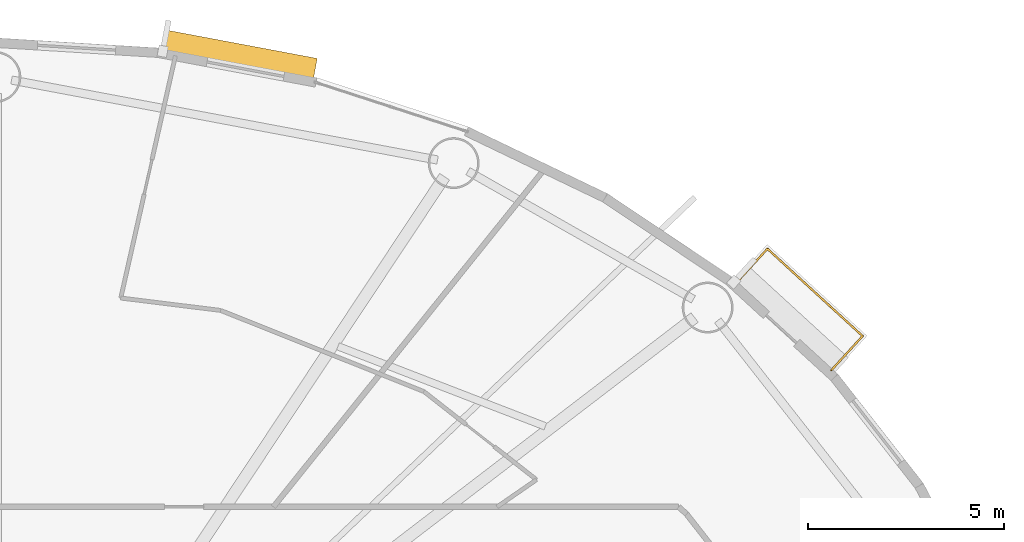
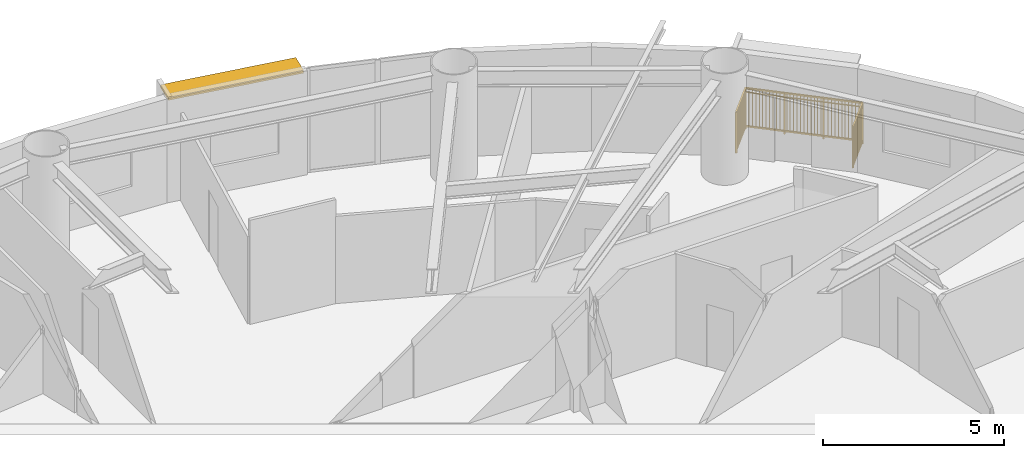
# One storey, part 18 of 18: 1 railing, 1 shading device.
"""IFC4 building model written with IfcOpenShell, lengths in metres."""

from ifc_helpers import new_model, si_unit, direction, frame, origin, origin_2d, place, context, subcontext, project, spatial, rectangle, extrude, source, transform, mapped, material, layer, layer_set, type_object, element, save


model = new_model("IFC4")

# Units and contexts
model_context = context("Model", 3, precision=1e-05, world=origin(), true_north=direction((0.0, 1.0)))
body_context = subcontext(model_context, "Body", "Model", "MODEL_VIEW")
ifc_project = project(units=[si_unit("LENGTHUNIT", "METRE"), si_unit("AREAUNIT", "SQUARE_METRE"), si_unit("VOLUMEUNIT", "CUBIC_METRE"), si_unit("PLANEANGLEUNIT", "RADIAN"), si_unit("MASSUNIT", "GRAM", prefix="KILO")], contexts=[model_context])

# Site, building, storey
site_placement = place(None, origin())
site = spatial("IfcSite", under=ifc_project, at=site_placement, CompositionType="ELEMENT")
building_placement = place(site_placement, origin())
building = spatial("IfcBuilding", under=site, at=building_placement, Name="Linh Dai School and Residence Tower", CompositionType="ELEMENT")
storey_placement = place(building_placement, frame((0.0, 0.0, 159.89990234375)))
storey = spatial("IfcBuildingStorey", under=building, at=storey_placement, Name="L38", CompositionType="ELEMENT", Elevation=159.89990234375)

# Shading device
ifc_material_1 = material(Name="Terracotta Ceramic Sunshade", Category="masonry")
ifc_layer = layer(ifc_material_1, 0.10009765625)
ifc_layer_set = layer_set([ifc_layer], Name="Terracotta Ceramic Sunshade")
shading_device_type = type_object("IfcShadingDeviceType", Name="SHD-TC-650", PredefinedType="USERDEFINED", material=ifc_layer_set)
shared_shape_1 = source(origin(), body_context, "Body", "SweptSolid", [
    extrude(rectangle(XDim=3.949462890625, YDim=0.64990234375, at=origin_2d()), origin(), (0.0, 0.0, 1.0), 0.10009765625),
])
shading_device_placement = place(storey_placement, frame((42.219970703125, 47.349609375, 3.380126953125), z_axis=(0.0, 0.0, 1.0), x_axis=(0.982783192645, -0.184762540184, 0.0)))
element("IfcShadingDevice", 1, at=shading_device_placement, inside=storey, type_object=shading_device_type, Name="L38 Terracotta Horizontal Sunshade Band 09", ObjectType="SUNSHADE", PredefinedType="USERDEFINED", context=body_context, shape_type="MappedRepresentation", body=[
    mapped(shared_shape_1, transform((0.0, 0.0, 0.0), x_axis=(1.0, 0.0, 0.0), y_axis=(0.0, 1.0, 0.0), z_axis=(0.0, 0.0, 1.0), scale=1.0)),
])

# Railing
ifc_material_2 = material(Name="Structural Steel S355JR", Category="steel")
railing_type = type_object("IfcRailingType", Name="RL-BAL-1400", PredefinedType="BALUSTRADE", material=ifc_material_2)
shared_shape_2 = source(origin(), body_context, "Body", "SweptSolid", [
    extrude(rectangle(XDim=0.048095703125, YDim=0.048095703125, at=origin_2d()), frame((0.0, 0.0, 1.3759765625), z_axis=(0.675715259685, 0.737162728187, 0.0), x_axis=(-0.737162728187, 0.675715259685, 0.0)), (0.0, 0.0, 1.0), 1.179931640625),
    extrude(rectangle(XDim=0.048095703125, YDim=0.048095703125, at=origin_2d()), frame((0.0, 0.0, 0.10009765625), z_axis=(0.675715259685, 0.737162728187, 0.0), x_axis=(-0.737162728187, 0.675715259685, 0.0)), (0.0, 0.0, 1.0), 1.179931640625),
    extrude(rectangle(XDim=0.030029296875, YDim=0.030029296875, at=origin_2d()), frame((0.0, 0.0, 1.239990234375), z_axis=(0.675715259685, 0.737162728187, 0.0), x_axis=(-0.737162728187, 0.675715259685, 0.0)), (0.0, 0.0, 1.0), 1.179931640625),
    extrude(rectangle(XDim=0.02001953125, YDim=0.02001953125, at=origin_2d()), frame((0.061279296875, 0.06689453125, 0.10009765625)), (0.0, 0.0, 1.0), 1.251708984375),
    extrude(rectangle(XDim=0.02001953125, YDim=0.02001953125, at=origin_2d()), frame((0.12255859375, 0.1337890625, 0.10009765625)), (0.0, 0.0, 1.0), 1.251708984375),
    extrude(rectangle(XDim=0.02001953125, YDim=0.02001953125, at=origin_2d()), frame((0.18408203125, 0.20068359375, 0.10009765625)), (0.0, 0.0, 1.0), 1.251708984375),
    extrude(rectangle(XDim=0.02001953125, YDim=0.02001953125, at=origin_2d()), frame((0.245361328125, 0.267578125, 0.10009765625)), (0.0, 0.0, 1.0), 1.251708984375),
    extrude(rectangle(XDim=0.02001953125, YDim=0.02001953125, at=origin_2d()), frame((0.306640625, 0.33447265625, 0.10009765625)), (0.0, 0.0, 1.0), 1.251708984375),
    extrude(rectangle(XDim=0.02001953125, YDim=0.02001953125, at=origin_2d()), frame((0.367919921875, 0.4013671875, 0.10009765625)), (0.0, 0.0, 1.0), 1.251708984375),
    extrude(rectangle(XDim=0.02001953125, YDim=0.02001953125, at=origin_2d()), frame((0.429443359375, 0.468505859375, 0.10009765625)), (0.0, 0.0, 1.0), 1.251708984375),
    extrude(rectangle(XDim=0.02001953125, YDim=0.02001953125, at=origin_2d()), frame((0.49072265625, 0.535400390625, 0.10009765625)), (0.0, 0.0, 1.0), 1.251708984375),
    extrude(rectangle(XDim=0.02001953125, YDim=0.02001953125, at=origin_2d()), frame((0.552001953125, 0.602294921875, 0.10009765625)), (0.0, 0.0, 1.0), 1.251708984375),
    extrude(rectangle(XDim=0.02001953125, YDim=0.02001953125, at=origin_2d()), frame((0.61328125, 0.669189453125, 0.10009765625)), (0.0, 0.0, 1.0), 1.251708984375),
    extrude(rectangle(XDim=0.02001953125, YDim=0.02001953125, at=origin_2d()), frame((0.6748046875, 0.736083984375, 0.10009765625)), (0.0, 0.0, 1.0), 1.251708984375),
    extrude(rectangle(XDim=0.02001953125, YDim=0.02001953125, at=origin_2d()), frame((0.736083984375, 0.802978515625, 0.10009765625)), (0.0, 0.0, 1.0), 1.251708984375),
    extrude(rectangle(XDim=0.048095703125, YDim=0.048095703125, at=origin_2d()), frame((0.79736328125, 0.869873046875, 1.3759765625), z_axis=(0.737089607401, -0.675795021187, 0.0), x_axis=(0.675795021187, 0.737089607401, 0.0)), (0.0, 0.0, 1.0), 3.298095703125),
    extrude(rectangle(XDim=0.048095703125, YDim=0.048095703125, at=origin_2d()), frame((0.79736328125, 0.869873046875, 0.10009765625), z_axis=(0.737089607401, -0.675795021187, 0.0), x_axis=(0.675795021187, 0.737089607401, 0.0)), (0.0, 0.0, 1.0), 3.298095703125),
    extrude(rectangle(XDim=0.030029296875, YDim=0.030029296875, at=origin_2d()), frame((0.79736328125, 0.869873046875, 1.239990234375), z_axis=(0.737089607401, -0.675795021187, 0.0), x_axis=(0.675795021187, 0.737089607401, 0.0)), (0.0, 0.0, 1.0), 3.298095703125),
    extrude(rectangle(XDim=0.02001953125, YDim=0.02001953125, at=origin_2d()), frame((0.868896484375, 0.80419921875, 0.10009765625)), (0.0, 0.0, 1.0), 1.251708984375),
    extrude(rectangle(XDim=0.02001953125, YDim=0.02001953125, at=origin_2d()), frame((0.9404296875, 0.73876953125, 0.10009765625)), (0.0, 0.0, 1.0), 1.251708984375),
    extrude(rectangle(XDim=0.02001953125, YDim=0.02001953125, at=origin_2d()), frame((1.011962890625, 0.67333984375, 0.10009765625)), (0.0, 0.0, 1.0), 1.251708984375),
    extrude(rectangle(XDim=0.02001953125, YDim=0.02001953125, at=origin_2d()), frame((1.083251953125, 0.607666015625, 0.10009765625)), (0.0, 0.0, 1.0), 1.251708984375),
    extrude(rectangle(XDim=0.02001953125, YDim=0.02001953125, at=origin_2d()), frame((1.15478515625, 0.5419921875, 0.10009765625)), (0.0, 0.0, 1.0), 1.251708984375),
    extrude(rectangle(XDim=0.02001953125, YDim=0.02001953125, at=origin_2d()), frame((1.226318359375, 0.4765625, 0.10009765625)), (0.0, 0.0, 1.0), 1.251708984375),
    extrude(rectangle(XDim=0.02001953125, YDim=0.02001953125, at=origin_2d()), frame((1.2978515625, 0.4111328125, 0.10009765625)), (0.0, 0.0, 1.0), 1.251708984375),
    extrude(rectangle(XDim=0.02001953125, YDim=0.02001953125, at=origin_2d()), frame((1.369384765625, 0.345458984375, 0.10009765625)), (0.0, 0.0, 1.0), 1.251708984375),
    extrude(rectangle(XDim=0.02001953125, YDim=0.02001953125, at=origin_2d()), frame((1.44091796875, 0.27978515625, 0.10009765625)), (0.0, 0.0, 1.0), 1.251708984375),
    extrude(rectangle(XDim=0.02001953125, YDim=0.02001953125, at=origin_2d()), frame((1.512451171875, 0.21435546875, 0.10009765625)), (0.0, 0.0, 1.0), 1.251708984375),
    extrude(rectangle(XDim=0.02001953125, YDim=0.02001953125, at=origin_2d()), frame((1.6552734375, 0.083251953125, 0.10009765625)), (0.0, 0.0, 1.0), 1.251708984375),
    extrude(rectangle(XDim=0.02001953125, YDim=0.02001953125, at=origin_2d()), frame((1.726806640625, 0.017822265625, 0.10009765625)), (0.0, 0.0, 1.0), 1.251708984375),
    extrude(rectangle(XDim=0.02001953125, YDim=0.02001953125, at=origin_2d()), frame((1.79833984375, -0.0478515625, 0.10009765625)), (0.0, 0.0, 1.0), 1.251708984375),
    extrude(rectangle(XDim=0.02001953125, YDim=0.02001953125, at=origin_2d()), frame((1.869873046875, -0.11328125, 0.10009765625)), (0.0, 0.0, 1.0), 1.251708984375),
    extrude(rectangle(XDim=0.02001953125, YDim=0.02001953125, at=origin_2d()), frame((1.94140625, -0.178955078125, 0.10009765625)), (0.0, 0.0, 1.0), 1.251708984375),
    extrude(rectangle(XDim=0.02001953125, YDim=0.02001953125, at=origin_2d()), frame((2.0126953125, -0.24462890625, 0.10009765625)), (0.0, 0.0, 1.0), 1.251708984375),
    extrude(rectangle(XDim=0.02001953125, YDim=0.02001953125, at=origin_2d()), frame((2.084228515625, -0.31005859375, 0.10009765625)), (0.0, 0.0, 1.0), 1.251708984375),
    extrude(rectangle(XDim=0.02001953125, YDim=0.02001953125, at=origin_2d()), frame((2.15576171875, -0.37548828125, 0.10009765625)), (0.0, 0.0, 1.0), 1.251708984375),
    extrude(rectangle(XDim=0.02001953125, YDim=0.02001953125, at=origin_2d()), frame((2.227294921875, -0.441162109375, 0.10009765625)), (0.0, 0.0, 1.0), 1.251708984375),
    extrude(rectangle(XDim=0.02001953125, YDim=0.02001953125, at=origin_2d()), frame((2.298828125, -0.5068359375, 0.10009765625)), (0.0, 0.0, 1.0), 1.251708984375),
    extrude(rectangle(XDim=0.02001953125, YDim=0.02001953125, at=origin_2d()), frame((2.370361328125, -0.572265625, 0.10009765625)), (0.0, 0.0, 1.0), 1.251708984375),
    extrude(rectangle(XDim=0.02001953125, YDim=0.02001953125, at=origin_2d()), frame((2.51318359375, -0.703369140625, 0.10009765625)), (0.0, 0.0, 1.0), 1.251708984375),
    extrude(rectangle(XDim=0.02001953125, YDim=0.02001953125, at=origin_2d()), frame((2.584716796875, -0.76904296875, 0.10009765625)), (0.0, 0.0, 1.0), 1.251708984375),
    extrude(rectangle(XDim=0.02001953125, YDim=0.02001953125, at=origin_2d()), frame((2.65625, -0.83447265625, 0.10009765625)), (0.0, 0.0, 1.0), 1.251708984375),
    extrude(rectangle(XDim=0.02001953125, YDim=0.02001953125, at=origin_2d()), frame((2.727783203125, -0.89990234375, 0.10009765625)), (0.0, 0.0, 1.0), 1.251708984375),
    extrude(rectangle(XDim=0.02001953125, YDim=0.02001953125, at=origin_2d()), frame((2.79931640625, -0.965576171875, 0.10009765625)), (0.0, 0.0, 1.0), 1.251708984375),
    extrude(rectangle(XDim=0.02001953125, YDim=0.02001953125, at=origin_2d()), frame((2.870849609375, -1.03125, 0.10009765625)), (0.0, 0.0, 1.0), 1.251708984375),
    extrude(rectangle(XDim=0.02001953125, YDim=0.02001953125, at=origin_2d()), frame((2.9423828125, -1.0966796875, 0.10009765625)), (0.0, 0.0, 1.0), 1.251708984375),
    extrude(rectangle(XDim=0.02001953125, YDim=0.02001953125, at=origin_2d()), frame((3.013671875, -1.162109375, 0.10009765625)), (0.0, 0.0, 1.0), 1.251708984375),
    extrude(rectangle(XDim=0.02001953125, YDim=0.02001953125, at=origin_2d()), frame((3.085205078125, -1.227783203125, 0.10009765625)), (0.0, 0.0, 1.0), 1.251708984375),
    extrude(rectangle(XDim=0.02001953125, YDim=0.02001953125, at=origin_2d()), frame((3.15673828125, -1.29345703125, 0.10009765625)), (0.0, 0.0, 1.0), 1.251708984375),
    extrude(rectangle(XDim=0.048095703125, YDim=0.048095703125, at=origin_2d()), frame((3.228271484375, -1.35888671875, 1.3759765625), z_axis=(-0.675715259685, -0.737162728187, 0.0), x_axis=(0.737162728187, -0.675715259685, 0.0)), (0.0, 0.0, 1.0), 1.179931640625),
    extrude(rectangle(XDim=0.048095703125, YDim=0.048095703125, at=origin_2d()), frame((3.228271484375, -1.35888671875, 0.10009765625), z_axis=(-0.675715259685, -0.737162728187, 0.0), x_axis=(0.737162728187, -0.675715259685, 0.0)), (0.0, 0.0, 1.0), 1.179931640625),
    extrude(rectangle(XDim=0.030029296875, YDim=0.030029296875, at=origin_2d()), frame((3.228271484375, -1.35888671875, 1.239990234375), z_axis=(-0.675715259685, -0.737162728187, 0.0), x_axis=(0.737162728187, -0.675715259685, 0.0)), (0.0, 0.0, 1.0), 1.179931640625),
    extrude(rectangle(XDim=0.02001953125, YDim=0.02001953125, at=origin_2d()), frame((3.1669921875, -1.42578125, 0.10009765625)), (0.0, 0.0, 1.0), 1.251708984375),
    extrude(rectangle(XDim=0.02001953125, YDim=0.02001953125, at=origin_2d()), frame((3.105712890625, -1.49267578125, 0.10009765625)), (0.0, 0.0, 1.0), 1.251708984375),
    extrude(rectangle(XDim=0.02001953125, YDim=0.02001953125, at=origin_2d()), frame((3.044189453125, -1.5595703125, 0.10009765625)), (0.0, 0.0, 1.0), 1.251708984375),
    extrude(rectangle(XDim=0.02001953125, YDim=0.02001953125, at=origin_2d()), frame((2.98291015625, -1.62646484375, 0.10009765625)), (0.0, 0.0, 1.0), 1.251708984375),
    extrude(rectangle(XDim=0.02001953125, YDim=0.02001953125, at=origin_2d()), frame((2.921630859375, -1.693359375, 0.10009765625)), (0.0, 0.0, 1.0), 1.251708984375),
    extrude(rectangle(XDim=0.02001953125, YDim=0.02001953125, at=origin_2d()), frame((2.8603515625, -1.76025390625, 0.10009765625)), (0.0, 0.0, 1.0), 1.251708984375),
    extrude(rectangle(XDim=0.02001953125, YDim=0.02001953125, at=origin_2d()), frame((2.798828125, -1.827392578125, 0.10009765625)), (0.0, 0.0, 1.0), 1.251708984375),
    extrude(rectangle(XDim=0.02001953125, YDim=0.02001953125, at=origin_2d()), frame((2.737548828125, -1.894287109375, 0.10009765625)), (0.0, 0.0, 1.0), 1.251708984375),
    extrude(rectangle(XDim=0.02001953125, YDim=0.02001953125, at=origin_2d()), frame((2.67626953125, -1.961181640625, 0.10009765625)), (0.0, 0.0, 1.0), 1.251708984375),
    extrude(rectangle(XDim=0.02001953125, YDim=0.02001953125, at=origin_2d()), frame((2.614990234375, -2.028076171875, 0.10009765625)), (0.0, 0.0, 1.0), 1.251708984375),
    extrude(rectangle(XDim=0.02001953125, YDim=0.02001953125, at=origin_2d()), frame((2.553466796875, -2.094970703125, 0.10009765625)), (0.0, 0.0, 1.0), 1.251708984375),
    extrude(rectangle(XDim=0.02001953125, YDim=0.02001953125, at=origin_2d()), frame((2.4921875, -2.161865234375, 0.10009765625)), (0.0, 0.0, 1.0), 1.251708984375),
    extrude(rectangle(XDim=0.0419921875, YDim=0.0419921875, at=origin_2d()), origin(), (0.0, 0.0, 1.0), 1.3759765625),
    extrude(rectangle(XDim=0.0419921875, YDim=0.0419921875, at=origin_2d()), frame((0.79736328125, 0.869873046875, 0.0)), (0.0, 0.0, 1.0), 1.3759765625),
    extrude(rectangle(XDim=0.0419921875, YDim=0.0419921875, at=origin_2d()), frame((1.607666015625, 0.126953125, 0.0)), (0.0, 0.0, 1.0), 1.3759765625),
    extrude(rectangle(XDim=0.0419921875, YDim=0.0419921875, at=origin_2d()), frame((2.41796875, -0.615966796875, 0.0)), (0.0, 0.0, 1.0), 1.3759765625),
    extrude(rectangle(XDim=0.0419921875, YDim=0.0419921875, at=origin_2d()), frame((3.228271484375, -1.35888671875, 0.0)), (0.0, 0.0, 1.0), 1.3759765625),
    extrude(rectangle(XDim=0.0419921875, YDim=0.0419921875, at=origin_2d()), frame((2.430908203125, -2.228759765625, 0.0)), (0.0, 0.0, 1.0), 1.3759765625),
])
railing_placement = place(storey_placement, frame((54.922119140625, 41.571533203125, 0.0)))
element("IfcRailing", 2, at=railing_placement, inside=storey, type_object=railing_type, Name="L38 Balcony Safety Balustrade 05", PredefinedType="BALUSTRADE", context=body_context, shape_type="MappedRepresentation", body=[
    mapped(shared_shape_2, transform((0.0, 0.0, 0.0), x_axis=(1.0, 0.0, 0.0), y_axis=(0.0, 1.0, 0.0), z_axis=(0.0, 0.0, 1.0), scale=1.0)),
])

save(model, "model.ifc")
